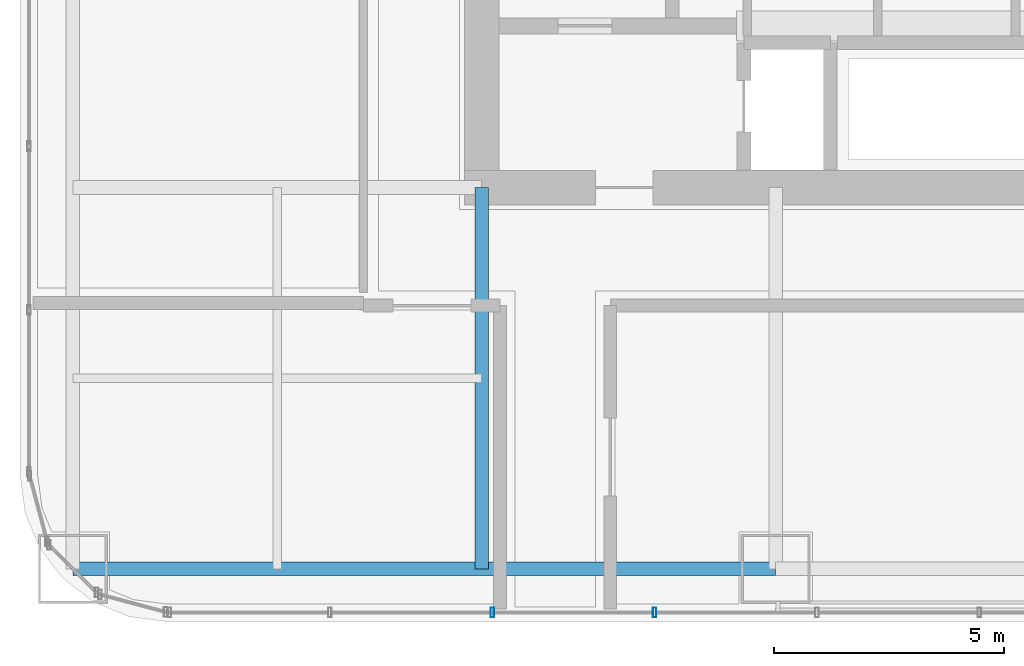
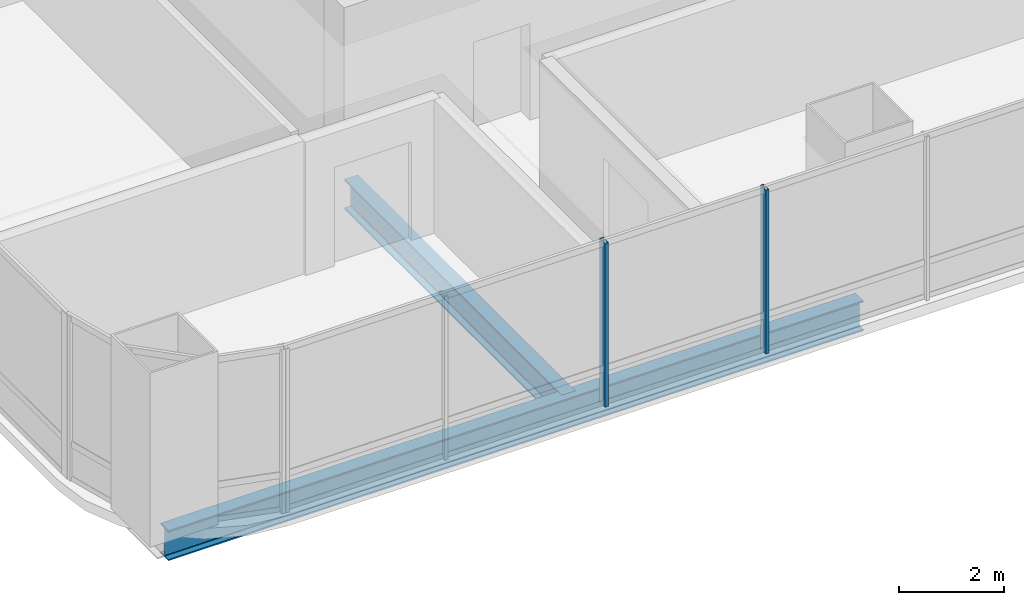
# One storey, part 3 of 34: 2 beams, 2 members, 1 element without a shape of its own.
"""IFC4 building model written with IfcOpenShell, lengths in metres."""

from ifc_helpers import new_model, si_unit, direction, frame, origin, origin_2d, place, context, subcontext, project, spatial, hollow_rectangle, i_section, extrude, material, material_profile, profile_set, type_object, element, aggregate, save


model = new_model("IFC4")

# Units and contexts
model_context = context("Model", 3, precision=1e-05, world=origin(), true_north=direction((0.0, 1.0)))
body_context = subcontext(model_context, "Body", "Model", "MODEL_VIEW")
ifc_project = project(units=[si_unit("LENGTHUNIT", "METRE"), si_unit("AREAUNIT", "SQUARE_METRE"), si_unit("VOLUMEUNIT", "CUBIC_METRE"), si_unit("PLANEANGLEUNIT", "RADIAN"), si_unit("MASSUNIT", "GRAM", prefix="KILO")], contexts=[model_context])

# Site, building, storey
site_placement = place(None, origin())
site = spatial("IfcSite", under=ifc_project, at=site_placement, CompositionType="ELEMENT")
building_placement = place(site_placement, origin())
building = spatial("IfcBuilding", under=site, at=building_placement, Name="Punatoya Terracotta Tower", CompositionType="ELEMENT")
storey_placement = place(building_placement, frame((0.0, 0.0, 101.10009765625)))
storey = spatial("IfcBuildingStorey", under=building, at=storey_placement, Name="L23", CompositionType="ELEMENT", Elevation=101.10009765625)

# Beams
ifc_material_1 = material(Name="Steel S355", Category="steel")
ifc_material_profile_1 = material_profile(ifc_material_1, i_section(OverallWidth=0.300048828125, OverallDepth=0.699951171875, WebThickness=0.01708984375, FlangeThickness=0.031982421875, FilletRadius=0.01806640625, at=origin_2d()))
ifc_profile_set_1 = profile_set([ifc_material_profile_1], Name="Steel S355")
beam_type = type_object("IfcBeamType", Name="BM-PRI-700", PredefinedType="BEAM", material=ifc_profile_set_1)
beam_1_placement = place(storey_placement, frame((-19.10009765625, -17.5, -0.590087890625), z_axis=(1.0, 0.0, 0.0), x_axis=(0.0, 1.0, 0.0)))
element("IfcBeam", 1, at=beam_1_placement, inside=storey, type_object=beam_type, Name="BM-L23-RG-S1", PredefinedType="BEAM", context=body_context, shape_type="SweptSolid", body=[
    extrude(i_section(OverallWidth=0.300048828125, OverallDepth=0.699951171875, WebThickness=0.01708984375, FlangeThickness=0.031982421875, FilletRadius=0.01806640625, at=origin_2d()), origin(), (0.0, 0.0, 1.0), 15.300048828125),
])
beam_2_placement = place(storey_placement, frame((-10.199951171875, -17.5, -0.590087890625), z_axis=(0.0, 1.0, 0.0), x_axis=(-1.0, 0.0, 0.0)))
element("IfcBeam", 2, at=beam_2_placement, inside=storey, type_object=beam_type, Name="BM-L23-PR-S1", PredefinedType="BEAM", context=body_context, shape_type="SweptSolid", body=[
    extrude(i_section(OverallWidth=0.300048828125, OverallDepth=0.699951171875, WebThickness=0.01708984375, FlangeThickness=0.031982421875, FilletRadius=0.01806640625, at=origin_2d()), origin(), (0.0, 0.0, 1.0), 8.300048828125),
])

# Curtain wall, members
ifc_material_2 = material(Name="Aluminium 6063-T6 + Double Low-E Glass", Category="aluminium")
curtain_wall_type = type_object("IfcCurtainWallType", Name="CW-M1", PredefinedType="NOTDEFINED", material=ifc_material_2)
curtain_wall_placement = place(storey_placement, origin())
curtain_wall = element("IfcCurtainWall", 3, at=curtain_wall_placement, inside=storey, type_object=curtain_wall_type, Name="L23 Curtain Wall CW-L23-S01-1", PredefinedType="NOTDEFINED")
ifc_material_3 = material(Name="Aluminium 6063-T6", Category="aluminium")
ifc_material_profile_2 = material_profile(ifc_material_3, hollow_rectangle(XDim=0.074951171875, YDim=0.2099609375, WallThickness=0.00439453125, at=origin_2d()))
ifc_profile_set_2 = profile_set([ifc_material_profile_2], Name="Aluminium 6063-T6")
member_type = type_object("IfcMemberType", Name="CW-MUL-M1", PredefinedType="MULLION", material=ifc_profile_set_2)
member_1_placement = place(storey_placement, frame((-9.968994140625, -18.449951171875, 0.0), z_axis=(0.0, 0.0, 1.0), x_axis=(1.0, 0.0, 0.0)))
member_1 = element("IfcMember", 4, at=member_1_placement, type_object=member_type, Name="CW-L23-S01-1 Mullion 02", PredefinedType="MULLION", context=body_context, shape_type="SweptSolid", body=[
    extrude(hollow_rectangle(XDim=0.074951171875, YDim=0.2099609375, WallThickness=0.00439453125, at=origin_2d()), origin(), (0.0, 0.0, 1.0), 3.809814453125),
])
member_2_placement = place(storey_placement, frame((-6.43505859375, -18.449951171875, 0.0), z_axis=(0.0, 0.0, 1.0), x_axis=(1.0, 0.0, 0.0)))
member_2 = element("IfcMember", 5, at=member_2_placement, type_object=member_type, Name="CW-L23-S01-1 Mullion 03", PredefinedType="MULLION", context=body_context, shape_type="SweptSolid", body=[
    extrude(hollow_rectangle(XDim=0.074951171875, YDim=0.2099609375, WallThickness=0.00439453125, at=origin_2d()), origin(), (0.0, 0.0, 1.0), 3.809814453125),
])
aggregate(curtain_wall, [member_1, member_2])

save(model, "model.ifc")
